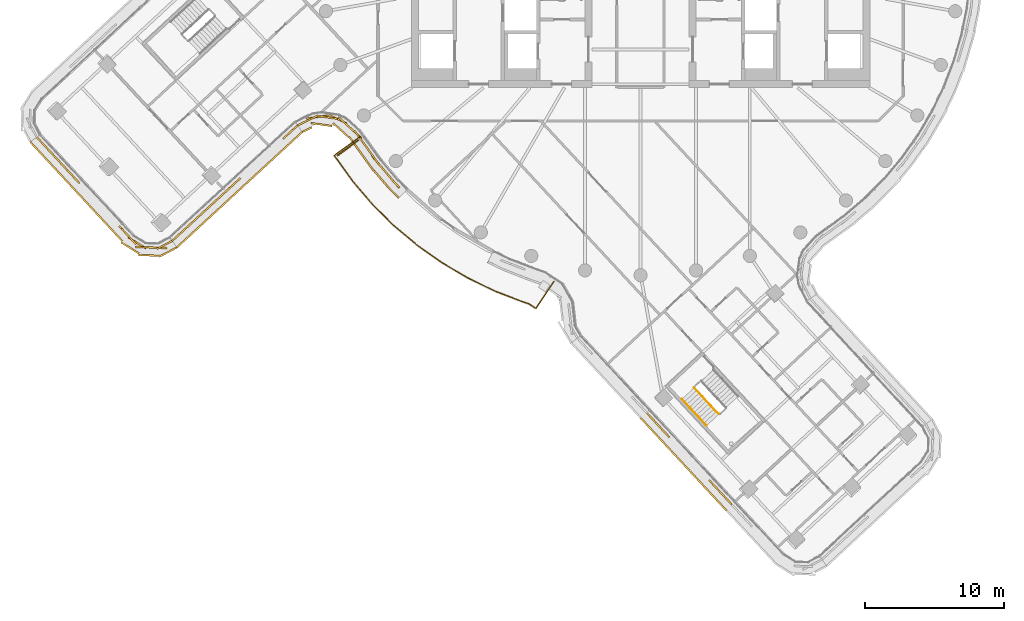
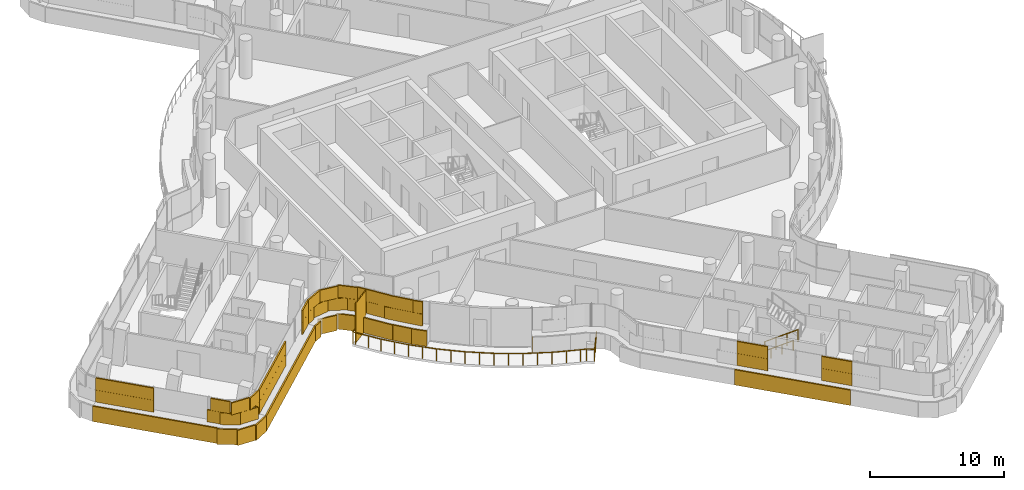
# One storey, part 27 of 34: 4 coverings, 3 railings, 1 shading device.
"""IFC4 building model written with IfcOpenShell, lengths in metres."""

from ifc_helpers import new_model, si_unit, direction, frame, origin, origin_2d, place, context, subcontext, project, spatial, rectangle, circle, extrude, material, layer, layer_set, type_object, element, save


model = new_model("IFC4")

# Units and contexts
model_context = context("Model", 3, precision=1e-05, world=origin(), true_north=direction((0.0, 1.0)))
body_context = subcontext(model_context, "Body", "Model", "MODEL_VIEW")
ifc_project = project(units=[si_unit("LENGTHUNIT", "METRE"), si_unit("AREAUNIT", "SQUARE_METRE"), si_unit("VOLUMEUNIT", "CUBIC_METRE"), si_unit("PLANEANGLEUNIT", "RADIAN"), si_unit("MASSUNIT", "GRAM", prefix="KILO")], contexts=[model_context])

# Site, building, storey
site_placement = place(None, origin())
site = spatial("IfcSite", under=ifc_project, at=site_placement, CompositionType="ELEMENT")
building_placement = place(site_placement, origin())
building = spatial("IfcBuilding", under=site, at=building_placement, Name="Tamarind Cross Interchange Tower", CompositionType="ELEMENT")
storey_placement = place(building_placement, frame((0.0, 0.0, 189.699951171875)))
storey = spatial("IfcBuildingStorey", under=building, at=storey_placement, Name="L47", CompositionType="ELEMENT", Elevation=189.699951171875)

# Railing
ifc_material_1 = material(Name="Stainless steel and laminated glass", Category="steel")
railing_type_1 = type_object("IfcRailingType", Name="Balcony guard", PredefinedType="BALUSTRADE", material=ifc_material_1)
railing_1_placement = place(storey_placement, frame((-20.17822265625, -13.010986328125, 0.0)))
element("IfcRailing", 1, at=railing_1_placement, inside=storey, type_object=railing_type_1, Name="Balcony guard 10", PredefinedType="BALUSTRADE", context=body_context, shape_type="SweptSolid", body=[
    extrude(circle(Radius=0.02490234375, at=origin_2d()), frame((0.0, 0.0, 1.0751953125), z_axis=(-0.806916557721, -0.590665445812, 0.0), x_axis=(0.590665445812, -0.806916557721, 0.0)), (0.0, 0.0, 1.0), 2.320068359375),
    extrude(circle(Radius=0.02490234375, at=origin_2d()), frame((-1.8720703125, -1.370361328125, 1.0751953125), z_axis=(0.590477537429, -0.807054073648, 0.0), x_axis=(0.807054073648, 0.590477537429, 0.0)), (0.0, 0.0, 1.0), 0.239013671875),
    extrude(circle(Radius=0.02490234375, at=origin_2d()), frame((-1.73095703125, -1.563232421875, 1.0751953125), z_axis=(0.584590453162, -0.811328541389, 0.0), x_axis=(0.811328541389, 0.584590453162, 0.0)), (0.0, 0.0, 1.0), 2.070556640625),
    extrude(circle(Radius=0.02490234375, at=origin_2d()), frame((-0.5205078125, -3.2431640625, 1.0751953125), z_axis=(0.649598066146, -0.760277812684, 0.0), x_axis=(0.760277812684, 0.649598066146, 0.0)), (0.0, 0.0, 1.0), 2.175048828125),
    extrude(circle(Radius=0.02490234375, at=origin_2d()), frame((0.892333984375, -4.896728515625, 1.0751953125), z_axis=(0.710130717242, -0.704069857635, 0.0), x_axis=(0.704069857635, 0.710130717242, 0.0)), (0.0, 0.0, 1.0), 2.17529296875),
    extrude(circle(Radius=0.02490234375, at=origin_2d()), frame((2.43701171875, -6.42822265625, 1.0751953125), z_axis=(0.765879503455, -0.642984125922, 0.0), x_axis=(0.642984125922, 0.765879503455, 0.0)), (0.0, 0.0, 1.0), 2.17529296875),
    extrude(circle(Radius=0.02490234375, at=origin_2d()), frame((4.10302734375, -7.826904296875, 1.0751953125), z_axis=(0.81632657602, -0.577590617379, 0.0), x_axis=(0.577590617379, 0.81632657602, 0.0)), (0.0, 0.0, 1.0), 2.175048828125),
    extrude(circle(Radius=0.02490234375, at=origin_2d()), frame((5.878662109375, -9.083251953125, 1.0751953125), z_axis=(0.861223570169, -0.508226290333, 0.0), x_axis=(0.508226290333, 0.861223570169, 0.0)), (0.0, 0.0, 1.0), 2.175048828125),
    extrude(circle(Radius=0.02490234375, at=origin_2d()), frame((7.751953125, -10.188720703125, 1.0751953125), z_axis=(0.90029690694, -0.435276325285, 0.0), x_axis=(0.435276325285, 0.90029690694, 0.0)), (0.0, 0.0, 1.0), 2.175048828125),
    extrude(circle(Radius=0.02490234375, at=origin_2d()), frame((9.710205078125, -11.135498046875, 1.0751953125), z_axis=(0.933153377166, -0.359478475967, 0.0), x_axis=(0.359478475967, 0.933153377166, 0.0)), (0.0, 0.0, 1.0), 2.129150390625),
    extrude(circle(Radius=0.02490234375, at=origin_2d()), frame((11.697021484375, -11.90087890625, 1.0751953125), z_axis=(0.947724214824, -0.319090602552, 0.0), x_axis=(0.319090602552, 0.947724214824, 0.0)), (0.0, 0.0, 1.0), 0.48583984375),
    extrude(circle(Radius=0.02490234375, at=origin_2d()), frame((12.157470703125, -12.055908203125, 1.0751953125), z_axis=(0.830898606475, -0.556423854411, 0.0), x_axis=(0.556423854411, 0.830898606475, 0.0)), (0.0, 0.0, 1.0), 0.587890625),
    extrude(circle(Radius=0.02490234375, at=origin_2d()), frame((12.64599609375, -12.383056640625, 1.0751953125), z_axis=(0.55637472818, 0.830931502498, 0.0), x_axis=(-0.830931502498, 0.55637472818, 0.0)), (0.0, 0.0, 1.0), 2.320068359375),
    extrude(circle(Radius=0.02001953125, at=origin_2d()), origin(), (0.0, 0.0, 1.0), 1.050048828125),
    extrude(circle(Radius=0.02001953125, at=origin_2d()), frame((-0.93603515625, -0.68505859375, 0.0)), (0.0, 0.0, 1.0), 1.050048828125),
    extrude(circle(Radius=0.02001953125, at=origin_2d()), frame((-1.8720703125, -1.370361328125, 0.0)), (0.0, 0.0, 1.0), 1.050048828125),
    extrude(circle(Radius=0.02001953125, at=origin_2d()), frame((-1.73095703125, -1.563232421875, 0.0)), (0.0, 0.0, 1.0), 1.050048828125),
    extrude(circle(Radius=0.02001953125, at=origin_2d()), frame((-1.125732421875, -2.4033203125, 0.0)), (0.0, 0.0, 1.0), 1.050048828125),
    extrude(circle(Radius=0.02001953125, at=origin_2d()), frame((-0.5205078125, -3.2431640625, 0.0)), (0.0, 0.0, 1.0), 1.050048828125),
    extrude(circle(Radius=0.02001953125, at=origin_2d()), frame((0.18603515625, -4.06982421875, 0.0)), (0.0, 0.0, 1.0), 1.050048828125),
    extrude(circle(Radius=0.02001953125, at=origin_2d()), frame((0.892333984375, -4.896728515625, 0.0)), (0.0, 0.0, 1.0), 1.050048828125),
    extrude(circle(Radius=0.02001953125, at=origin_2d()), frame((1.66455078125, -5.66259765625, 0.0)), (0.0, 0.0, 1.0), 1.050048828125),
    extrude(circle(Radius=0.02001953125, at=origin_2d()), frame((2.43701171875, -6.42822265625, 0.0)), (0.0, 0.0, 1.0), 1.050048828125),
    extrude(circle(Radius=0.02001953125, at=origin_2d()), frame((3.27001953125, -7.12744140625, 0.0)), (0.0, 0.0, 1.0), 1.050048828125),
    extrude(circle(Radius=0.02001953125, at=origin_2d()), frame((4.10302734375, -7.826904296875, 0.0)), (0.0, 0.0, 1.0), 1.050048828125),
    extrude(circle(Radius=0.02001953125, at=origin_2d()), frame((4.99072265625, -8.455078125, 0.0)), (0.0, 0.0, 1.0), 1.050048828125),
    extrude(circle(Radius=0.02001953125, at=origin_2d()), frame((5.878662109375, -9.083251953125, 0.0)), (0.0, 0.0, 1.0), 1.050048828125),
    extrude(circle(Radius=0.02001953125, at=origin_2d()), frame((6.8154296875, -9.635986328125, 0.0)), (0.0, 0.0, 1.0), 1.050048828125),
    extrude(circle(Radius=0.02001953125, at=origin_2d()), frame((7.751953125, -10.188720703125, 0.0)), (0.0, 0.0, 1.0), 1.050048828125),
    extrude(circle(Radius=0.02001953125, at=origin_2d()), frame((8.73095703125, -10.662109375, 0.0)), (0.0, 0.0, 1.0), 1.050048828125),
    extrude(circle(Radius=0.02001953125, at=origin_2d()), frame((9.710205078125, -11.135498046875, 0.0)), (0.0, 0.0, 1.0), 1.050048828125),
    extrude(circle(Radius=0.02001953125, at=origin_2d()), frame((10.70361328125, -11.51806640625, 0.0)), (0.0, 0.0, 1.0), 1.050048828125),
    extrude(circle(Radius=0.02001953125, at=origin_2d()), frame((11.697021484375, -11.90087890625, 0.0)), (0.0, 0.0, 1.0), 1.050048828125),
    extrude(circle(Radius=0.02001953125, at=origin_2d()), frame((12.157470703125, -12.055908203125, 0.0)), (0.0, 0.0, 1.0), 1.050048828125),
    extrude(circle(Radius=0.02001953125, at=origin_2d()), frame((12.64599609375, -12.383056640625, 0.0)), (0.0, 0.0, 1.0), 1.050048828125),
    extrude(circle(Radius=0.02001953125, at=origin_2d()), frame((13.29150390625, -11.419189453125, 0.0)), (0.0, 0.0, 1.0), 1.050048828125),
    extrude(circle(Radius=0.02001953125, at=origin_2d()), frame((13.936767578125, -10.455322265625, 0.0)), (0.0, 0.0, 1.0), 1.050048828125),
])

# Shading device
ifc_material_2 = material(Name="Bronze-finish aluminium louvre", Category="aluminium")
ifc_layer_1 = layer(ifc_material_2, 0.080078125)
ifc_layer_set_1 = layer_set([ifc_layer_1], Name="Bronze-finish aluminium louvre")
shading_device_type = type_object("IfcShadingDeviceType", Name="Operable louvre bay", PredefinedType="JALOUSIE", material=ifc_layer_set_1)
shading_device_placement = place(storey_placement, origin())
element("IfcShadingDevice", 2, at=shading_device_placement, inside=storey, type_object=shading_device_type, Name="LVR-L47-BAL10", PredefinedType="JALOUSIE", context=body_context, shape_type="SweptSolid", body=[
    extrude(rectangle(XDim=1.89990234375, YDim=0.080078125, at=origin_2d()), frame((-21.063720703125, -13.832763671875, 0.0), z_axis=(0.0, 0.0, 1.0), x_axis=(-0.806902715209, -0.590684355801, 0.0)), (0.0, 0.0, 1.0), 3.60009765625),
])

# Railings
ifc_material_3 = material(Name="Stair guard")
railing_type_2 = type_object("IfcRailingType", Name="Stair guard", PredefinedType="GUARDRAIL", material=ifc_material_3)
railing_2_placement = place(storey_placement, frame((3.86669921875, -31.097412109375, 0.16357421875)))
element("IfcRailing", 3, at=railing_2_placement, inside=storey, type_object=railing_type_2, Name="L47 ST6 stair guard 1", PredefinedType="GUARDRAIL", context=body_context, shape_type="SweptSolid", body=[
    extrude(circle(Radius=0.02392578125, at=origin_2d()), frame((0.0, 0.0, 1.076171875), z_axis=(0.575439178201, -0.620577895674, 0.532684547919), x_axis=(0.733271561694, 0.679935891692, 0.0)), (0.0, 0.0, 1.0), 3.072021484375),
    extrude(circle(Radius=0.02099609375, at=origin_2d()), origin(), (0.0, 0.0, 1.0), 1.052001953125),
    extrude(circle(Radius=0.02099609375, at=origin_2d()), frame((0.58935546875, -0.635498046875, 0.54541015625)), (0.0, 0.0, 1.0), 1.052001953125),
    extrude(circle(Radius=0.02099609375, at=origin_2d()), frame((1.178466796875, -1.27099609375, 1.091064453125)), (0.0, 0.0, 1.0), 1.052001953125),
    extrude(circle(Radius=0.02099609375, at=origin_2d()), frame((1.767822265625, -1.906494140625, 1.636474609375)), (0.0, 0.0, 1.0), 1.052001953125),
])
ifc_material_4 = material(Name="Stair handrail")
railing_type_3 = type_object("IfcRailingType", Name="Stair handrail", PredefinedType="HANDRAIL", material=ifc_material_4)
railing_3_placement = place(storey_placement, frame((2.98681640625, -31.913330078125, 0.16357421875)))
element("IfcRailing", 4, at=railing_3_placement, inside=storey, type_object=railing_type_3, Name="L47 ST6 stair handrail 1", PredefinedType="HANDRAIL", context=body_context, shape_type="SweptSolid", body=[
    extrude(circle(Radius=0.02392578125, at=origin_2d()), frame((0.0, 0.0, 0.8759765625), z_axis=(0.575386019761, -0.620606274629, 0.532708907522), x_axis=(0.733318379799, 0.679885397585, 0.0)), (0.0, 0.0, 1.0), 3.072021484375),
    extrude(circle(Radius=0.02099609375, at=origin_2d()), origin(), (0.0, 0.0, 1.0), 0.851806640625),
    extrude(circle(Radius=0.02099609375, at=origin_2d()), frame((0.589111328125, -0.635498046875, 0.54541015625)), (0.0, 0.0, 1.0), 0.851806640625),
    extrude(circle(Radius=0.02099609375, at=origin_2d()), frame((1.178466796875, -1.27099609375, 1.091064453125)), (0.0, 0.0, 1.0), 0.851806640625),
    extrude(circle(Radius=0.02099609375, at=origin_2d()), frame((1.767578125, -1.906494140625, 1.636474609375)), (0.0, 0.0, 1.0), 0.851806640625),
])

# Coverings
ifc_material_5 = material(Name="Terracotta", Category="masonry")
ifc_layer_2 = layer(ifc_material_5, 0.1201171875)
ifc_layer_set_2 = layer_set([ifc_layer_2], Name="Terracotta")
covering_type = type_object("IfcCoveringType", Name="Terracotta baguette screen unit", PredefinedType="MOLDING", material=ifc_layer_set_2)
covering_1_placement = place(storey_placement, origin())
element("IfcCovering", 5, at=covering_1_placement, inside=storey, type_object=covering_type, Name="SCR-L47-08-00", PredefinedType="MOLDING", context=body_context, shape_type="SweptSolid", body=[
    extrude(rectangle(XDim=0.760009765625, YDim=0.1201171875, at=origin_2d()), frame((-43.20703125, -13.33984375, 1.40380859375), z_axis=(0.0, 0.0, 1.0), x_axis=(0.679912424958, -0.73329332084, 0.0)), (0.0, 0.0, 1.0), 1.092041015625),
    extrude(rectangle(XDim=1.52001953125, YDim=0.1201171875, at=origin_2d()), frame((-42.442138671875, -14.164794921875, 1.40380859375), z_axis=(0.0, 0.0, 1.0), x_axis=(0.679912424958, -0.73329332084, 0.0)), (0.0, 0.0, 1.0), 1.092041015625),
    extrude(rectangle(XDim=1.52001953125, YDim=0.1201171875, at=origin_2d()), frame((-41.42236328125, -15.264892578125, 1.40380859375), z_axis=(0.0, 0.0, 1.0), x_axis=(0.679912424958, -0.73329332084, 0.0)), (0.0, 0.0, 1.0), 1.092041015625),
    extrude(rectangle(XDim=0.78466796875, YDim=0.1201171875, at=origin_2d()), frame((-40.64892578125, -16.098876953125, 1.40380859375), z_axis=(0.0, 0.0, 1.0), x_axis=(0.679912424958, -0.73329332084, 0.0)), (0.0, 0.0, 1.0), 1.092041015625),
    extrude(rectangle(XDim=1.03515625, YDim=0.1201171875, at=origin_2d()), frame((-37.181396484375, -19.838623046875, 1.40380859375), z_axis=(0.0, 0.0, 1.0), x_axis=(0.679912424958, -0.73329332084, 0.0)), (0.0, 0.0, 1.0), 1.092041015625),
    extrude(rectangle(XDim=1.52001953125, YDim=0.1201171875, at=origin_2d()), frame((-36.24365234375, -20.668701171875, 1.40380859375), z_axis=(0.0, 0.0, 1.0), x_axis=(0.846535247961, -0.532332672263, 0.0)), (0.0, 0.0, 1.0), 1.092041015625),
    extrude(rectangle(XDim=1.52001953125, YDim=0.1201171875, at=origin_2d()), frame((-34.83544921875, -21.019775390625, 1.40380859375), z_axis=(0.0, 0.0, 1.0), x_axis=(0.999287366065, -0.037745993464, 0.0)), (0.0, 0.0, 1.0), 1.092041015625),
    extrude(rectangle(XDim=0.509521484375, YDim=0.1201171875, at=origin_2d()), frame((-33.930908203125, -20.642822265625, 1.40380859375), z_axis=(0.0, 0.0, 1.0), x_axis=(0.884281241425, 0.466954693802, 0.0)), (0.0, 0.0, 1.0), 1.092041015625),
    extrude(rectangle(XDim=1.510009765625, YDim=0.1201171875, at=origin_2d()), frame((-42.9521484375, -13.614990234375, 2.50390625), z_axis=(0.0, 0.0, 1.0), x_axis=(0.679912424958, -0.73329332084, 0.0)), (0.0, 0.0, 1.0), 1.092041015625),
    extrude(rectangle(XDim=1.52001953125, YDim=0.1201171875, at=origin_2d()), frame((-41.93212890625, -14.71484375, 2.50390625), z_axis=(0.0, 0.0, 1.0), x_axis=(0.679912424958, -0.73329332084, 0.0)), (0.0, 0.0, 1.0), 1.092041015625),
    extrude(rectangle(XDim=1.52001953125, YDim=0.1201171875, at=origin_2d()), frame((-40.912353515625, -15.814697265625, 2.50390625), z_axis=(0.0, 0.0, 1.0), x_axis=(0.679912424958, -0.73329332084, 0.0)), (0.0, 0.0, 1.0), 1.092041015625),
    extrude(rectangle(XDim=1.52001953125, YDim=0.1201171875, at=origin_2d()), frame((-36.832763671875, -20.214599609375, 2.50390625), z_axis=(0.0, 0.0, 1.0), x_axis=(0.679912424958, -0.73329332084, 0.0)), (0.0, 0.0, 1.0), 1.092041015625),
    extrude(rectangle(XDim=1.52001953125, YDim=0.1201171875, at=origin_2d()), frame((-35.5849609375, -20.991455078125, 2.50390625), z_axis=(0.0, 0.0, 1.0), x_axis=(0.999287366065, -0.037745993464, 0.0)), (0.0, 0.0, 1.0), 1.092041015625),
    extrude(rectangle(XDim=1.259521484375, YDim=0.1201171875, at=origin_2d()), frame((-34.262451171875, -20.818115234375, 2.50390625), z_axis=(0.0, 0.0, 1.0), x_axis=(0.884281241425, 0.466954693802, 0.0)), (0.0, 0.0, 1.0), 1.092041015625),
    extrude(rectangle(XDim=0.760009765625, YDim=0.1201171875, at=origin_2d()), frame((-43.676025390625, -13.678466796875, 0.00390625), z_axis=(0.0, 0.0, 1.0), x_axis=(0.679912424958, -0.73329332084, 0.0)), (0.0, 0.0, 1.0), 1.39208984375),
    extrude(rectangle(XDim=1.52001953125, YDim=0.1201171875, at=origin_2d()), frame((-42.91455078125, -14.499755859375, 0.00390625), z_axis=(0.0, 0.0, 1.0), x_axis=(0.679912424958, -0.73329332084, 0.0)), (0.0, 0.0, 1.0), 1.39208984375),
    extrude(rectangle(XDim=1.52001953125, YDim=0.1201171875, at=origin_2d()), frame((-41.89453125, -15.599609375, 0.00390625), z_axis=(0.0, 0.0, 1.0), x_axis=(0.679912424958, -0.73329332084, 0.0)), (0.0, 0.0, 1.0), 1.39208984375),
    extrude(rectangle(XDim=1.52001953125, YDim=0.1201171875, at=origin_2d()), frame((-40.874755859375, -16.69970703125, 0.00390625), z_axis=(0.0, 0.0, 1.0), x_axis=(0.679912424958, -0.73329332084, 0.0)), (0.0, 0.0, 1.0), 1.39208984375),
    extrude(rectangle(XDim=1.52001953125, YDim=0.1201171875, at=origin_2d()), frame((-39.854736328125, -17.799560546875, 0.00390625), z_axis=(0.0, 0.0, 1.0), x_axis=(0.679912424958, -0.73329332084, 0.0)), (0.0, 0.0, 1.0), 1.39208984375),
    extrude(rectangle(XDim=1.52001953125, YDim=0.1201171875, at=origin_2d()), frame((-38.8349609375, -18.8994140625, 0.00390625), z_axis=(0.0, 0.0, 1.0), x_axis=(0.679912424958, -0.73329332084, 0.0)), (0.0, 0.0, 1.0), 1.39208984375),
    extrude(rectangle(XDim=1.52001953125, YDim=0.1201171875, at=origin_2d()), frame((-37.815185546875, -19.99951171875, 0.00390625), z_axis=(0.0, 0.0, 1.0), x_axis=(0.679912424958, -0.73329332084, 0.0)), (0.0, 0.0, 1.0), 1.39208984375),
    extrude(rectangle(XDim=1.52001953125, YDim=0.1201171875, at=origin_2d()), frame((-36.740966796875, -21.033935546875, 0.00390625), z_axis=(0.0, 0.0, 1.0), x_axis=(0.846535247961, -0.532332672263, 0.0)), (0.0, 0.0, 1.0), 1.39208984375),
    extrude(rectangle(XDim=1.52001953125, YDim=0.1201171875, at=origin_2d()), frame((-35.39111328125, -21.572998046875, 0.00390625), z_axis=(0.0, 0.0, 1.0), x_axis=(0.999287366065, -0.037745993464, 0.0)), (0.0, 0.0, 1.0), 1.39208984375),
    extrude(rectangle(XDim=1.426025390625, YDim=0.1201171875, at=origin_2d()), frame((-34.006591796875, -21.33203125, 0.00390625), z_axis=(0.0, 0.0, 1.0), x_axis=(0.884281241425, 0.466954693802, 0.0)), (0.0, 0.0, 1.0), 1.39208984375),
])
covering_2_placement = place(storey_placement, origin())
element("IfcCovering", 6, at=covering_2_placement, inside=storey, type_object=covering_type, Name="SCR-L47-09-00", PredefinedType="MOLDING", context=body_context, shape_type="SweptSolid", body=[
    extrude(rectangle(XDim=0.760009765625, YDim=0.1201171875, at=origin_2d()), frame((-33.43408203125, -20.272216796875, 1.40380859375), z_axis=(0.0, 0.0, 1.0), x_axis=(0.735697495243, 0.677310265309, 0.0)), (0.0, 0.0, 1.0), 1.092041015625),
    extrude(rectangle(XDim=1.52001953125, YDim=0.1201171875, at=origin_2d()), frame((-32.6064453125, -19.51025390625, 1.40380859375), z_axis=(0.0, 0.0, 1.0), x_axis=(0.735697495243, 0.677310265309, 0.0)), (0.0, 0.0, 1.0), 1.092041015625),
    extrude(rectangle(XDim=1.52001953125, YDim=0.1201171875, at=origin_2d()), frame((-31.5029296875, -18.494384765625, 1.40380859375), z_axis=(0.0, 0.0, 1.0), x_axis=(0.735697495243, 0.677310265309, 0.0)), (0.0, 0.0, 1.0), 1.092041015625),
    extrude(rectangle(XDim=1.52001953125, YDim=0.1201171875, at=origin_2d()), frame((-30.3994140625, -17.478271484375, 1.40380859375), z_axis=(0.0, 0.0, 1.0), x_axis=(0.735697495243, 0.677310265309, 0.0)), (0.0, 0.0, 1.0), 1.092041015625),
    extrude(rectangle(XDim=1.41259765625, YDim=0.1201171875, at=origin_2d()), frame((-29.331787109375, -16.495361328125, 1.40380859375), z_axis=(0.0, 0.0, 1.0), x_axis=(0.735697495243, 0.677310265309, 0.0)), (0.0, 0.0, 1.0), 1.092041015625),
    extrude(rectangle(XDim=0.4072265625, YDim=0.1201171875, at=origin_2d()), frame((-25.57958984375, -13.041015625, 1.40380859375), z_axis=(0.0, 0.0, 1.0), x_axis=(0.735697495243, 0.677310265309, 0.0)), (0.0, 0.0, 1.0), 1.092041015625),
    extrude(rectangle(XDim=1.03515625, YDim=0.1201171875, at=origin_2d()), frame((-25.056396484375, -12.559326171875, 1.40380859375), z_axis=(0.0, 0.0, 1.0), x_axis=(0.735697495243, 0.677310265309, 0.0)), (0.0, 0.0, 1.0), 1.092041015625),
    extrude(rectangle(XDim=1.510009765625, YDim=0.1201171875, at=origin_2d()), frame((-33.158203125, -20.018310546875, 2.50390625), z_axis=(0.0, 0.0, 1.0), x_axis=(0.735697495243, 0.677310265309, 0.0)), (0.0, 0.0, 1.0), 1.092041015625),
    extrude(rectangle(XDim=1.52001953125, YDim=0.1201171875, at=origin_2d()), frame((-32.0546875, -19.002197265625, 2.50390625), z_axis=(0.0, 0.0, 1.0), x_axis=(0.735697495243, 0.677310265309, 0.0)), (0.0, 0.0, 1.0), 1.092041015625),
    extrude(rectangle(XDim=1.52001953125, YDim=0.1201171875, at=origin_2d()), frame((-30.951171875, -17.986328125, 2.50390625), z_axis=(0.0, 0.0, 1.0), x_axis=(0.735697495243, 0.677310265309, 0.0)), (0.0, 0.0, 1.0), 1.092041015625),
    extrude(rectangle(XDim=1.52001953125, YDim=0.1201171875, at=origin_2d()), frame((-29.84765625, -16.970458984375, 2.50390625), z_axis=(0.0, 0.0, 1.0), x_axis=(0.735697495243, 0.677310265309, 0.0)), (0.0, 0.0, 1.0), 1.092041015625),
    extrude(rectangle(XDim=0.66259765625, YDim=0.1201171875, at=origin_2d()), frame((-29.055908203125, -16.241455078125, 2.50390625), z_axis=(0.0, 0.0, 1.0), x_axis=(0.735697495243, 0.677310265309, 0.0)), (0.0, 0.0, 1.0), 1.092041015625),
    extrude(rectangle(XDim=1.1572265625, YDim=0.1201171875, at=origin_2d()), frame((-25.3037109375, -12.787109375, 2.50390625), z_axis=(0.0, 0.0, 1.0), x_axis=(0.735697495243, 0.677310265309, 0.0)), (0.0, 0.0, 1.0), 1.092041015625),
    extrude(rectangle(XDim=0.28515625, YDim=0.1201171875, at=origin_2d()), frame((-24.780517578125, -12.305419921875, 2.50390625), z_axis=(0.0, 0.0, 1.0), x_axis=(0.735697495243, 0.677310265309, 0.0)), (0.0, 0.0, 1.0), 1.092041015625),
    extrude(rectangle(XDim=0.760009765625, YDim=0.1201171875, at=origin_2d()), frame((-33.096435546875, -20.74169921875, 0.00390625), z_axis=(0.0, 0.0, 1.0), x_axis=(0.735697495243, 0.677310265309, 0.0)), (0.0, 0.0, 1.0), 1.39208984375),
    extrude(rectangle(XDim=1.52001953125, YDim=0.1201171875, at=origin_2d()), frame((-32.2724609375, -19.983154296875, 0.00390625), z_axis=(0.0, 0.0, 1.0), x_axis=(0.735697495243, 0.677310265309, 0.0)), (0.0, 0.0, 1.0), 1.39208984375),
    extrude(rectangle(XDim=1.52001953125, YDim=0.1201171875, at=origin_2d()), frame((-31.1689453125, -18.967041015625, 0.00390625), z_axis=(0.0, 0.0, 1.0), x_axis=(0.735697495243, 0.677310265309, 0.0)), (0.0, 0.0, 1.0), 1.39208984375),
    extrude(rectangle(XDim=1.52001953125, YDim=0.1201171875, at=origin_2d()), frame((-30.0654296875, -17.951171875, 0.00390625), z_axis=(0.0, 0.0, 1.0), x_axis=(0.735697495243, 0.677310265309, 0.0)), (0.0, 0.0, 1.0), 1.39208984375),
    extrude(rectangle(XDim=1.52001953125, YDim=0.1201171875, at=origin_2d()), frame((-28.9619140625, -16.93505859375, 0.00390625), z_axis=(0.0, 0.0, 1.0), x_axis=(0.735697495243, 0.677310265309, 0.0)), (0.0, 0.0, 1.0), 1.39208984375),
    extrude(rectangle(XDim=1.52001953125, YDim=0.1201171875, at=origin_2d()), frame((-27.8583984375, -15.919189453125, 0.00390625), z_axis=(0.0, 0.0, 1.0), x_axis=(0.735697495243, 0.677310265309, 0.0)), (0.0, 0.0, 1.0), 1.39208984375),
    extrude(rectangle(XDim=1.52001953125, YDim=0.1201171875, at=origin_2d()), frame((-26.7548828125, -14.9033203125, 0.00390625), z_axis=(0.0, 0.0, 1.0), x_axis=(0.735697495243, 0.677310265309, 0.0)), (0.0, 0.0, 1.0), 1.39208984375),
    extrude(rectangle(XDim=1.52001953125, YDim=0.1201171875, at=origin_2d()), frame((-25.6513671875, -13.88720703125, 0.00390625), z_axis=(0.0, 0.0, 1.0), x_axis=(0.735697495243, 0.677310265309, 0.0)), (0.0, 0.0, 1.0), 1.39208984375),
    extrude(rectangle(XDim=1.02490234375, YDim=0.1201171875, at=origin_2d()), frame((-24.72998046875, -13.0390625, 0.00390625), z_axis=(0.0, 0.0, 1.0), x_axis=(0.735697495243, 0.677310265309, 0.0)), (0.0, 0.0, 1.0), 1.39208984375),
])
covering_3_placement = place(storey_placement, origin())
element("IfcCovering", 7, at=covering_3_placement, inside=storey, type_object=covering_type, Name="SCR-L47-10-00", PredefinedType="MOLDING", context=body_context, shape_type="SweptSolid", body=[
    extrude(rectangle(XDim=0.760009765625, YDim=0.1201171875, at=origin_2d()), frame((-24.341796875, -12.048828125, 1.40380859375), z_axis=(0.0, 0.0, 1.0), x_axis=(0.900099032862, 0.435685357845, 0.0)), (0.0, 0.0, 1.0), 1.092041015625),
    extrude(rectangle(XDim=1.52001953125, YDim=0.1201171875, at=origin_2d()), frame((-23.309814453125, -11.62060546875, 1.40380859375), z_axis=(0.0, 0.0, 1.0), x_axis=(0.988172177097, 0.15334845422, 0.0)), (0.0, 0.0, 1.0), 1.092041015625),
    extrude(rectangle(XDim=1.52001953125, YDim=0.1201171875, at=origin_2d()), frame((-21.829345703125, -11.75048828125, 1.40380859375), z_axis=(0.0, 0.0, 1.0), x_axis=(0.904866056217, -0.425696394519, 0.0)), (0.0, 0.0, 1.0), 1.092041015625),
    extrude(rectangle(XDim=1.52001953125, YDim=0.1201171875, at=origin_2d()), frame((-20.635986328125, -12.635009765625, 1.40380859375), z_axis=(0.0, 0.0, 1.0), x_axis=(0.740773661298, -0.671754704283, 0.0)), (0.0, 0.0, 1.0), 1.092041015625),
    extrude(rectangle(XDim=1.52001953125, YDim=0.1201171875, at=origin_2d()), frame((-19.71142578125, -13.809814453125, 1.40380859375), z_axis=(0.0, 0.0, 1.0), x_axis=(0.584573890505, -0.811340475102, 0.0)), (0.0, 0.0, 1.0), 1.092041015625),
    extrude(rectangle(XDim=1.52001953125, YDim=0.1201171875, at=origin_2d()), frame((-18.822265625, -15.017333984375, 1.40380859375), z_axis=(0.0, 0.0, 1.0), x_axis=(0.64957723968, -0.760295606781, 0.0)), (0.0, 0.0, 1.0), 1.092041015625),
    extrude(rectangle(XDim=1.49365234375, YDim=0.1201171875, at=origin_2d()), frame((-17.853271484375, -16.151611328125, 1.40380859375), z_axis=(0.0, 0.0, 1.0), x_axis=(0.64957723968, -0.760295606781, 0.0)), (0.0, 0.0, 1.0), 1.092041015625),
    extrude(rectangle(XDim=1.510009765625, YDim=0.1201171875, at=origin_2d()), frame((-24.004150390625, -11.885498046875, 2.50390625), z_axis=(0.0, 0.0, 1.0), x_axis=(0.900099032862, 0.435685357845, 0.0)), (0.0, 0.0, 1.0), 1.092041015625),
    extrude(rectangle(XDim=1.52001953125, YDim=0.1201171875, at=origin_2d()), frame((-22.56787109375, -11.631103515625, 2.50390625), z_axis=(0.0, 0.0, 1.0), x_axis=(0.989808907017, -0.14240199293, 0.0)), (0.0, 0.0, 1.0), 1.092041015625),
    extrude(rectangle(XDim=1.52001953125, YDim=0.1201171875, at=origin_2d()), frame((-21.191650390625, -12.131103515625, 2.50390625), z_axis=(0.0, 0.0, 1.0), x_axis=(0.740773661298, -0.671754704283, 0.0)), (0.0, 0.0, 1.0), 1.092041015625),
    extrude(rectangle(XDim=1.52001953125, YDim=0.1201171875, at=origin_2d()), frame((-20.150146484375, -13.20166015625, 2.50390625), z_axis=(0.0, 0.0, 1.0), x_axis=(0.590684355801, -0.806902715209, 0.0)), (0.0, 0.0, 1.0), 1.092041015625),
    extrude(rectangle(XDim=1.52001953125, YDim=0.1201171875, at=origin_2d()), frame((-19.27294921875, -14.418212890625, 2.50390625), z_axis=(0.0, 0.0, 1.0), x_axis=(0.584573890505, -0.811340475102, 0.0)), (0.0, 0.0, 1.0), 1.092041015625),
    extrude(rectangle(XDim=1.52001953125, YDim=0.1201171875, at=origin_2d()), frame((-18.335205078125, -15.58740234375, 2.50390625), z_axis=(0.0, 0.0, 1.0), x_axis=(0.64957723968, -0.760295606781, 0.0)), (0.0, 0.0, 1.0), 1.092041015625),
    extrude(rectangle(XDim=0.74365234375, YDim=0.1201171875, at=origin_2d()), frame((-17.60595703125, -16.43310546875, 2.50390625), z_axis=(0.0, 0.0, 1.0), x_axis=(0.710143317658, -0.704057148523, 0.0)), (0.0, 0.0, 1.0), 1.092041015625),
    extrude(rectangle(XDim=0.760009765625, YDim=0.1201171875, at=origin_2d()), frame((-24.0107421875, -12.5263671875, 0.00390625), z_axis=(0.0, 0.0, 1.0), x_axis=(0.900099032862, 0.435685357845, 0.0)), (0.0, 0.0, 1.0), 1.39208984375),
    extrude(rectangle(XDim=1.52001953125, YDim=0.1201171875, at=origin_2d()), frame((-22.96826171875, -12.153564453125, 0.00390625), z_axis=(0.0, 0.0, 1.0), x_axis=(0.989808907017, -0.14240199293, 0.0)), (0.0, 0.0, 1.0), 1.39208984375),
    extrude(rectangle(XDim=1.52001953125, YDim=0.1201171875, at=origin_2d()), frame((-21.5615234375, -12.57080078125, 0.00390625), z_axis=(0.0, 0.0, 1.0), x_axis=(0.740773661298, -0.671754704283, 0.0)), (0.0, 0.0, 1.0), 1.39208984375),
    extrude(rectangle(XDim=1.52001953125, YDim=0.1201171875, at=origin_2d()), frame((-20.5322265625, -13.65234375, 0.00390625), z_axis=(0.0, 0.0, 1.0), x_axis=(0.584573890505, -0.811340475102, 0.0)), (0.0, 0.0, 1.0), 1.39208984375),
    extrude(rectangle(XDim=1.52001953125, YDim=0.1201171875, at=origin_2d()), frame((-19.655517578125, -14.869140625, 0.00390625), z_axis=(0.0, 0.0, 1.0), x_axis=(0.584573890505, -0.811340475102, 0.0)), (0.0, 0.0, 1.0), 1.39208984375),
    extrude(rectangle(XDim=1.52001953125, YDim=0.1201171875, at=origin_2d()), frame((-18.7099609375, -16.032470703125, 0.00390625), z_axis=(0.0, 0.0, 1.0), x_axis=(0.64957723968, -0.760295606781, 0.0)), (0.0, 0.0, 1.0), 1.39208984375),
    extrude(rectangle(XDim=1.182373046875, YDim=0.1201171875, at=origin_2d()), frame((-17.82421875, -17.02490234375, 0.00390625), z_axis=(0.0, 0.0, 1.0), x_axis=(0.710143317658, -0.704057148523, 0.0)), (0.0, 0.0, 1.0), 1.39208984375),
    extrude(rectangle(XDim=0.03076171875, YDim=0.1201171875, at=origin_2d()), frame((-10.987548828125, -22.055908203125, 0.00390625), z_axis=(0.0, 0.0, 1.0), x_axis=(0.900272776334, -0.435326231914, 0.0)), (0.0, 0.0, 1.0), 1.39208984375),
])
covering_4_placement = place(storey_placement, origin())
element("IfcCovering", 8, at=covering_4_placement, inside=storey, type_object=covering_type, Name="SCR-L47-11-01", PredefinedType="MOLDING", context=body_context, shape_type="SweptSolid", body=[
    extrude(rectangle(XDim=0.9267578125, YDim=0.1201171875, at=origin_2d()), frame((0.75439453125, -33.2412109375, 1.40380859375), z_axis=(0.0, 0.0, 1.0), x_axis=(0.679912424958, -0.73329332084, 0.0)), (0.0, 0.0, 1.0), 1.092041015625),
    extrude(rectangle(XDim=1.497802734375, YDim=0.1201171875, at=origin_2d()), frame((1.57177734375, -34.122802734375, 1.40380859375), z_axis=(0.0, 0.0, 1.0), x_axis=(0.679912424958, -0.73329332084, 0.0)), (0.0, 0.0, 1.0), 1.092041015625),
    extrude(rectangle(XDim=0.322265625, YDim=0.1201171875, at=origin_2d()), frame((5.039306640625, -37.86279296875, 1.40380859375), z_axis=(0.0, 0.0, 1.0), x_axis=(0.679912424958, -0.73329332084, 0.0)), (0.0, 0.0, 1.0), 1.092041015625),
    extrude(rectangle(XDim=1.52001953125, YDim=0.1201171875, at=origin_2d()), frame((5.6552734375, -38.527099609375, 1.40380859375), z_axis=(0.0, 0.0, 1.0), x_axis=(0.679912424958, -0.73329332084, 0.0)), (0.0, 0.0, 1.0), 1.092041015625),
    extrude(rectangle(XDim=0.602294921875, YDim=0.1201171875, at=origin_2d()), frame((6.36669921875, -39.294189453125, 1.40380859375), z_axis=(0.0, 0.0, 1.0), x_axis=(0.679912424958, -0.73329332084, 0.0)), (0.0, 0.0, 1.0), 1.092041015625),
    extrude(rectangle(XDim=0.1767578125, YDim=0.1201171875, at=origin_2d()), frame((0.499267578125, -32.96630859375, 2.50390625), z_axis=(0.0, 0.0, 1.0), x_axis=(0.679912424958, -0.73329332084, 0.0)), (0.0, 0.0, 1.0), 1.092041015625),
    extrude(rectangle(XDim=1.52001953125, YDim=0.1201171875, at=origin_2d()), frame((1.06591796875, -33.577392578125, 2.50390625), z_axis=(0.0, 0.0, 1.0), x_axis=(0.679912424958, -0.73329332084, 0.0)), (0.0, 0.0, 1.0), 1.092041015625),
    extrude(rectangle(XDim=0.747802734375, YDim=0.1201171875, at=origin_2d()), frame((1.82666015625, -34.39794921875, 2.50390625), z_axis=(0.0, 0.0, 1.0), x_axis=(0.679912424958, -0.73329332084, 0.0)), (0.0, 0.0, 1.0), 1.092041015625),
    extrude(rectangle(XDim=1.072265625, YDim=0.1201171875, at=origin_2d()), frame((5.294189453125, -38.1376953125, 2.50390625), z_axis=(0.0, 0.0, 1.0), x_axis=(0.679912424958, -0.73329332084, 0.0)), (0.0, 0.0, 1.0), 1.092041015625),
    extrude(rectangle(XDim=1.352294921875, YDim=0.1201171875, at=origin_2d()), frame((6.111572265625, -39.019287109375, 2.50390625), z_axis=(0.0, 0.0, 1.0), x_axis=(0.679912424958, -0.73329332084, 0.0)), (0.0, 0.0, 1.0), 1.092041015625),
    extrude(rectangle(XDim=0.88037109375, YDim=0.1201171875, at=origin_2d()), frame((0.31103515625, -33.607421875, 0.00390625), z_axis=(0.0, 0.0, 1.0), x_axis=(0.679912424958, -0.73329332084, 0.0)), (0.0, 0.0, 1.0), 1.39208984375),
    extrude(rectangle(XDim=1.52001953125, YDim=0.1201171875, at=origin_2d()), frame((1.113525390625, -34.472900390625, 0.00390625), z_axis=(0.0, 0.0, 1.0), x_axis=(0.679912424958, -0.73329332084, 0.0)), (0.0, 0.0, 1.0), 1.39208984375),
    extrude(rectangle(XDim=1.52001953125, YDim=0.1201171875, at=origin_2d()), frame((2.13330078125, -35.57275390625, 0.00390625), z_axis=(0.0, 0.0, 1.0), x_axis=(0.679912424958, -0.73329332084, 0.0)), (0.0, 0.0, 1.0), 1.39208984375),
    extrude(rectangle(XDim=1.52001953125, YDim=0.1201171875, at=origin_2d()), frame((3.153076171875, -36.6728515625, 0.00390625), z_axis=(0.0, 0.0, 1.0), x_axis=(0.679912424958, -0.73329332084, 0.0)), (0.0, 0.0, 1.0), 1.39208984375),
    extrude(rectangle(XDim=1.52001953125, YDim=0.1201171875, at=origin_2d()), frame((4.173095703125, -37.772705078125, 0.00390625), z_axis=(0.0, 0.0, 1.0), x_axis=(0.679912424958, -0.73329332084, 0.0)), (0.0, 0.0, 1.0), 1.39208984375),
    extrude(rectangle(XDim=1.52001953125, YDim=0.1201171875, at=origin_2d()), frame((5.19287109375, -38.87255859375, 0.00390625), z_axis=(0.0, 0.0, 1.0), x_axis=(0.679912424958, -0.73329332084, 0.0)), (0.0, 0.0, 1.0), 1.39208984375),
    extrude(rectangle(XDim=0.705810546875, YDim=0.1201171875, at=origin_2d()), frame((5.93603515625, -39.674072265625, 0.00390625), z_axis=(0.0, 0.0, 1.0), x_axis=(0.679912424958, -0.73329332084, 0.0)), (0.0, 0.0, 1.0), 1.39208984375),
])

save(model, "model.ifc")
